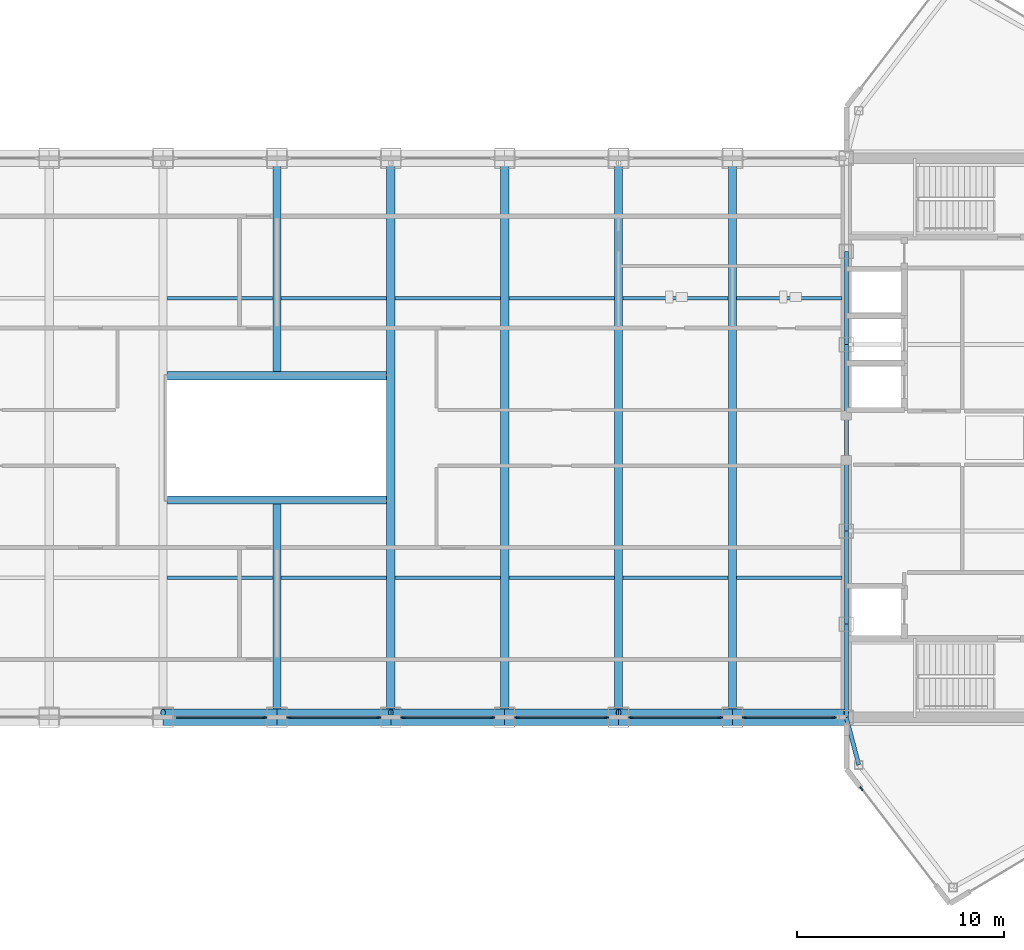
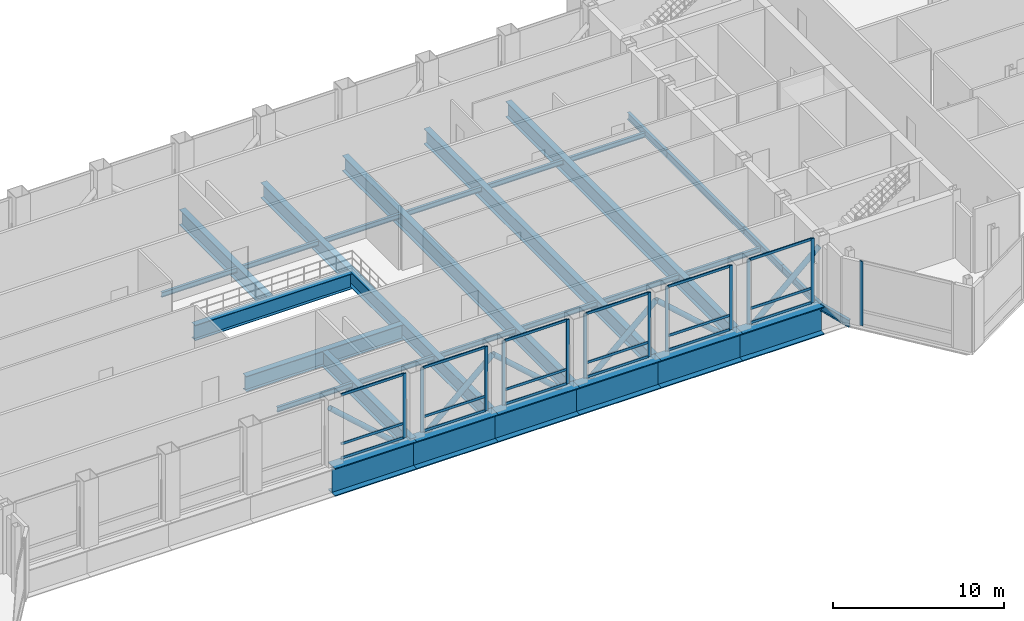
# One storey, part 13 of 30: 36 members, 31 beams, 7 elements without a shape of their own.
"""IFC4 building model written with IfcOpenShell, lengths in metres."""

from ifc_helpers import new_model, si_unit, direction, frame, origin, origin_2d, place, context, subcontext, project, spatial, rectangle, hollow_circle, i_section, extrude, source, transform, mapped, material, layer, layer_set, material_profile, profile_set, type_object, type_shapes, element, aggregate, save


model = new_model("IFC4")

# Units and contexts
model_context = context("Model", 3, precision=1e-05, world=origin(), true_north=direction((0.0, 1.0)))
body_context = subcontext(model_context, "Body", "Model", "MODEL_VIEW")
ifc_project = project(units=[si_unit("LENGTHUNIT", "METRE"), si_unit("AREAUNIT", "SQUARE_METRE"), si_unit("VOLUMEUNIT", "CUBIC_METRE"), si_unit("PLANEANGLEUNIT", "RADIAN"), si_unit("MASSUNIT", "GRAM", prefix="KILO")], contexts=[model_context])

# Site, building, storey
site_placement = place(None, origin())
site = spatial("IfcSite", under=ifc_project, at=site_placement, CompositionType="ELEMENT")
building_placement = place(site_placement, origin())
building = spatial("IfcBuilding", under=site, at=building_placement, Name="Seokmaru Belvedere", CompositionType="ELEMENT")
storey_placement = place(building_placement, frame((0.0, 0.0, 234.60009765625)))
storey = spatial("IfcBuildingStorey", under=building, at=storey_placement, Name="L62", CompositionType="ELEMENT", Elevation=234.60009765625)

# Beams
ifc_material_1 = material(Name="Steel SM355 (355 MPa)", Category="steel")
ifc_material_profile_1 = material_profile(ifc_material_1, i_section(OverallWidth=0.199951171875, OverallDepth=0.5, WebThickness=0.010009765625, FlangeThickness=0.01611328125, at=origin_2d()), Name="H-500x200x10x16")
ifc_profile_set_1 = profile_set([ifc_material_profile_1], Name="Steel SM355 (355 MPa)")
beam_type_1 = type_object("IfcBeamType", Name="Perimeter Spandrel Beam H-500", PredefinedType="SPANDREL", material=ifc_profile_set_1)
shared_shape_1 = source(origin(), body_context, "Body", "SweptSolid", [
    extrude(i_section(OverallWidth=0.199951171875, OverallDepth=0.5, WebThickness=0.010009765625, FlangeThickness=0.01611328125, at=origin_2d()), origin(), (0.0, 0.0, 1.0), 4.5),
])
for number, where, z_axis, x_axis, name in (
    (1, (27.5, -13.5, -0.510009765625), (0.0, 1.0, 0.0), (-1.0, 0.0, 0.0), "L62 E Portal Spine Spandrel 1"),
    (2, (27.5, -9.0, -0.510009765625), (0.0, 1.0, 0.0), (-1.0, 0.0, 0.0), "L62 E Portal Spine Spandrel 2"),
    (3, (27.5, 4.5, -0.510009765625), (0.0, 1.0, 0.0), (-1.0, 0.0, 0.0), "L62 E Portal Spine Spandrel 4"),
):
    element("IfcBeam", number, at=place(storey_placement, frame(where, z_axis=z_axis, x_axis=x_axis)), inside=storey, type_object=beam_type_1, Name=name, PredefinedType="SPANDREL", context=body_context, shape_type="MappedRepresentation", body=[
        mapped(shared_shape_1, transform((0.0, 0.0, 0.0), scale=1.0)),
    ])
shared_shape_2 = source(origin(), body_context, "Body", "SweptSolid", [
    extrude(i_section(OverallWidth=0.199951171875, OverallDepth=0.5, WebThickness=0.010009765625, FlangeThickness=0.01611328125, at=origin_2d()), origin(), (0.0, 0.0, 1.0), 9.0),
])
beam_1_placement = place(storey_placement, frame((27.5, -4.5, -0.510009765625), z_axis=(0.0, 1.0, 0.0), x_axis=(-1.0, 0.0, 0.0)))
element("IfcBeam", 4, at=beam_1_placement, inside=storey, type_object=beam_type_1, Name="L62 E Portal Spine Spandrel 3", PredefinedType="SPANDREL", context=body_context, shape_type="MappedRepresentation", body=[
    mapped(shared_shape_2, transform((0.0, 0.0, 0.0), scale=1.0)),
])
shared_shape_3 = source(origin(), body_context, "Body", "SweptSolid", [
    extrude(i_section(OverallWidth=0.199951171875, OverallDepth=0.5, WebThickness=0.010009765625, FlangeThickness=0.01611328125, at=origin_2d()), origin(), (0.0, 0.0, 1.0), 2.373046875),
])
type_shapes(beam_type_1, [shared_shape_1, shared_shape_2, shared_shape_3])
beam_2_placement = place(storey_placement, frame((28.10009765625, -15.7958984375, -0.510009765625), z_axis=(-0.252882558842, 0.967496982648, 0.0), x_axis=(-0.967496982648, -0.252882558842, 0.0)))
element("IfcBeam", 5, at=beam_2_placement, inside=storey, type_object=beam_type_1, Name="L62 E Shoulder Spine Spandrel S", PredefinedType="SPANDREL", context=body_context, shape_type="MappedRepresentation", body=[
    mapped(shared_shape_3, transform((0.0, 0.0, 0.0), scale=1.0)),
])
ifc_material_2 = material(Name="Steel HSA650 (650 MPa)", Category="steel")
ifc_material_profile_2 = material_profile(ifc_material_2, i_section(OverallWidth=0.800048828125, OverallDepth=2.0, WebThickness=0.0400390625, FlangeThickness=0.070068359375, at=origin_2d()), Name="BH-2000x800x40x70")
ifc_profile_set_2 = profile_set([ifc_material_profile_2], Name="Steel HSA650 (650 MPa)")
beam_type_2 = type_object("IfcBeamType", Name="Sky-Gate Transfer Truss Chord Girder BH-2000", PredefinedType="BEAM", material=ifc_profile_set_2)
shared_shape_4 = source(origin(), body_context, "Body", "SweptSolid", [
    extrude(i_section(OverallWidth=0.800048828125, OverallDepth=2.0, WebThickness=0.0400390625, FlangeThickness=0.070068359375, at=origin_2d()), origin(), (0.0, 0.0, 1.0), 5.5),
])
type_shapes(beam_type_2, [shared_shape_4])
for number, where, z_axis, x_axis, name in (
    (6, (-5.5, -13.5, -1.260009765625), (1.0, 0.0, 0.0), (0.0, 1.0, 0.0), "L62 Sky-Gate Transfer Truss Chord S-06"),
    (7, (0.0, -13.5, -1.260009765625), (1.0, 0.0, 0.0), (0.0, 1.0, 0.0), "L62 Sky-Gate Transfer Truss Chord S-07"),
    (8, (5.5, -13.5, -1.260009765625), (1.0, 0.0, 0.0), (0.0, 1.0, 0.0), "L62 Sky-Gate Transfer Truss Chord S-08"),
    (9, (11.0, -13.5, -1.260009765625), (1.0, 0.0, 0.0), (0.0, 1.0, 0.0), "L62 Sky-Gate Transfer Truss Chord S-09"),
    (10, (16.5, -13.5, -1.260009765625), (1.0, 0.0, 0.0), (0.0, 1.0, 0.0), "L62 Sky-Gate Transfer Truss Chord S-10"),
    (11, (22.0, -13.5, -1.260009765625), (1.0, 0.0, 0.0), (0.0, 1.0, 0.0), "L62 Sky-Gate Transfer Truss Chord S-11"),
):
    element("IfcBeam", number, at=place(storey_placement, frame(where, z_axis=z_axis, x_axis=x_axis)), inside=storey, type_object=beam_type_2, Name=name, PredefinedType="BEAM", context=body_context, shape_type="MappedRepresentation", body=[
        mapped(shared_shape_4, transform((0.0, 0.0, 0.0), scale=1.0)),
    ])
ifc_material_profile_3 = material_profile(ifc_material_1, i_section(OverallWidth=0.39990234375, OverallDepth=1.10009765625, WebThickness=0.02001953125, FlangeThickness=0.033935546875, at=origin_2d()), Name="BH-1100x400x20x34")
ifc_profile_set_3 = profile_set([ifc_material_profile_3], Name="Steel SM355 (355 MPa)")
beam_type_3 = type_object("IfcBeamType", Name="Sky-Gate Transverse Girder BH-1100", PredefinedType="BEAM", material=ifc_profile_set_3)
shared_shape_5 = source(origin(), body_context, "Body", "SweptSolid", [
    extrude(i_section(OverallWidth=0.39990234375, OverallDepth=1.10009765625, WebThickness=0.02001953125, FlangeThickness=0.033935546875, at=origin_2d()), origin(), (0.0, 0.0, 1.0), 27.0),
])
for number, where, z_axis, x_axis, name in (
    (12, (5.5, -13.5, -0.81005859375), (0.0, 1.0, 0.0), (-1.0, 0.0, 0.0), "L62 Sky-Gate Transverse Girder 06"),
    (13, (11.0, -13.5, -0.81005859375), (0.0, 1.0, 0.0), (-1.0, 0.0, 0.0), "L62 Sky-Gate Transverse Girder 07"),
    (14, (16.5, -13.5, -0.81005859375), (0.0, 1.0, 0.0), (-1.0, 0.0, 0.0), "L62 Sky-Gate Transverse Girder 08"),
    (15, (22.0, -13.5, -0.81005859375), (0.0, 1.0, 0.0), (-1.0, 0.0, 0.0), "L62 Sky-Gate Transverse Girder 09"),
):
    element("IfcBeam", number, at=place(storey_placement, frame(where, z_axis=z_axis, x_axis=x_axis)), inside=storey, type_object=beam_type_3, Name=name, PredefinedType="BEAM", context=body_context, shape_type="MappedRepresentation", body=[
        mapped(shared_shape_5, transform((0.0, 0.0, 0.0), scale=1.0)),
    ])
ifc_material_profile_4 = material_profile(ifc_material_1, i_section(OverallWidth=0.175048828125, OverallDepth=0.35009765625, WebThickness=0.007080078125, FlangeThickness=0.010986328125, at=origin_2d()), Name="H-350x175x7x11")
ifc_profile_set_4 = profile_set([ifc_material_profile_4], Name="Steel SM355 (355 MPa)")
beam_type_4 = type_object("IfcBeamType", Name="Secondary Floor Joist H-300", PredefinedType="JOIST", material=ifc_profile_set_4)
shared_shape_6 = source(origin(), body_context, "Body", "SweptSolid", [
    extrude(i_section(OverallWidth=0.175048828125, OverallDepth=0.35009765625, WebThickness=0.007080078125, FlangeThickness=0.010986328125, at=origin_2d()), origin(), (0.0, 0.0, 1.0), 5.08984375),
])
type_shapes(beam_type_4, [shared_shape_6])
for number, where, z_axis, x_axis, name in (
    (16, (-5.294921875, -6.75, -0.43505859375), (1.0, 0.0, 0.0), (0.0, 1.0, 0.0), "L62 Sky-Gate Secondary Joist S-05"),
    (17, (0.205078125, -6.75, -0.43505859375), (1.0, 0.0, 0.0), (0.0, 1.0, 0.0), "L62 Sky-Gate Secondary Joist S-06"),
    (18, (5.705078125, -6.75, -0.43505859375), (1.0, 0.0, 0.0), (0.0, 1.0, 0.0), "L62 Sky-Gate Secondary Joist S-07"),
    (19, (11.205078125, -6.75, -0.43505859375), (1.0, 0.0, 0.0), (0.0, 1.0, 0.0), "L62 Sky-Gate Secondary Joist S-08"),
    (20, (16.705078125, -6.75, -0.43505859375), (1.0, 0.0, 0.0), (0.0, 1.0, 0.0), "L62 Sky-Gate Secondary Joist S-09"),
    (21, (22.205078125, -6.75, -0.43505859375), (1.0, 0.0, 0.0), (0.0, 1.0, 0.0), "L62 Sky-Gate Secondary Joist S-10"),
    (22, (-5.294921875, 6.75, -0.43505859375), (1.0, 0.0, 0.0), (0.0, 1.0, 0.0), "L62 Sky-Gate Secondary Joist N-05"),
    (23, (0.205078125, 6.75, -0.43505859375), (1.0, 0.0, 0.0), (0.0, 1.0, 0.0), "L62 Sky-Gate Secondary Joist N-06"),
    (24, (5.705078125, 6.75, -0.43505859375), (1.0, 0.0, 0.0), (0.0, 1.0, 0.0), "L62 Sky-Gate Secondary Joist N-07"),
    (25, (11.205078125, 6.75, -0.43505859375), (1.0, 0.0, 0.0), (0.0, 1.0, 0.0), "L62 Sky-Gate Secondary Joist N-08"),
    (26, (16.705078125, 6.75, -0.43505859375), (1.0, 0.0, 0.0), (0.0, 1.0, 0.0), "L62 Sky-Gate Secondary Joist N-09"),
    (27, (22.205078125, 6.75, -0.43505859375), (1.0, 0.0, 0.0), (0.0, 1.0, 0.0), "L62 Sky-Gate Secondary Joist N-10"),
):
    element("IfcBeam", number, at=place(storey_placement, frame(where, z_axis=z_axis, x_axis=x_axis)), inside=storey, type_object=beam_type_4, Name=name, PredefinedType="JOIST", context=body_context, shape_type="MappedRepresentation", body=[
        mapped(shared_shape_6, transform((0.0, 0.0, 0.0), scale=1.0)),
    ])
shared_shape_7 = source(origin(), body_context, "Body", "SweptSolid", [
    extrude(i_section(OverallWidth=0.39990234375, OverallDepth=1.10009765625, WebThickness=0.02001953125, FlangeThickness=0.033935546875, at=origin_2d()), origin(), (0.0, 0.0, 1.0), 10.5),
])
for number, where, z_axis, x_axis, name in (
    (28, (0.0, -13.5, -0.81005859375), (0.0, 1.0, 0.0), (-1.0, 0.0, 0.0), "L62 Sky-Gate Trimmed Girder 5S"),
    (29, (0.0, 3.0, -0.81005859375), (0.0, 1.0, 0.0), (-1.0, 0.0, 0.0), "L62 Sky-Gate Trimmed Girder 5N"),
):
    element("IfcBeam", number, at=place(storey_placement, frame(where, z_axis=z_axis, x_axis=x_axis)), inside=storey, type_object=beam_type_3, Name=name, PredefinedType="BEAM", context=body_context, shape_type="MappedRepresentation", body=[
        mapped(shared_shape_7, transform((0.0, 0.0, 0.0), scale=1.0)),
    ])
shared_shape_8 = source(origin(), body_context, "Body", "SweptSolid", [
    extrude(i_section(OverallWidth=0.39990234375, OverallDepth=1.10009765625, WebThickness=0.02001953125, FlangeThickness=0.033935546875, at=origin_2d()), origin(), (0.0, 0.0, 1.0), 10.58984375),
])
type_shapes(beam_type_3, [shared_shape_5, shared_shape_7, shared_shape_8])
for number, where, z_axis, x_axis, name in (
    (30, (-5.294921875, -3.0, -0.81005859375), (1.0, 0.0, 0.0), (0.0, 1.0, 0.0), "L62 Sky-Gate Atrium Header Girder S"),
    (31, (-5.294921875, 3.0, -0.81005859375), (1.0, 0.0, 0.0), (0.0, 1.0, 0.0), "L62 Sky-Gate Atrium Header Girder N"),
):
    element("IfcBeam", number, at=place(storey_placement, frame(where, z_axis=z_axis, x_axis=x_axis)), inside=storey, type_object=beam_type_3, Name=name, PredefinedType="BEAM", context=body_context, shape_type="MappedRepresentation", body=[
        mapped(shared_shape_8, transform((0.0, 0.0, 0.0), scale=1.0)),
    ])

# Members
ifc_material_profile_5 = material_profile(ifc_material_2, hollow_circle(Radius=0.177734375, WallThickness=0.0126953125, at=origin_2d()), Name="CHS-355.6x12.7")
ifc_profile_set_5 = profile_set([ifc_material_profile_5], Name="Steel HSA650 (650 MPa)")
member_type_1 = type_object("IfcMemberType", Name="Sky-Gate Transfer Truss Secondary Brace CHS-356", PredefinedType="BRACE", material=ifc_profile_set_5)
shared_shape_9 = source(origin(), body_context, "Body", "SweptSolid", [
    extrude(hollow_circle(Radius=0.177734375, WallThickness=0.0126953125, at=origin_2d()), origin(), (0.0, 0.0, 1.0), 7.392822265625),
])
type_shapes(member_type_1, [shared_shape_9])
for number, where, z_axis, x_axis, name in (
    (32, (-5.5, -13.27099609375, 3.679931640625), (0.743970307126, 0.0, -0.668212677308), (0.0, 1.0, 0.0), "L62 Sky-Gate Transfer Truss Web Diagonal S-05"),
    (33, (0.0, -13.27099609375, -1.260009765625), (0.743970307126, 0.0, 0.668212677308), (0.0, 1.0, 0.0), "L62 Sky-Gate Transfer Truss Web Diagonal S-06"),
    (34, (5.5, -13.27099609375, 3.679931640625), (0.743970307126, 0.0, -0.668212677308), (0.0, 1.0, 0.0), "L62 Sky-Gate Transfer Truss Web Diagonal S-07"),
    (35, (11.0, -13.27099609375, -1.260009765625), (0.743970307126, 0.0, 0.668212677308), (0.0, 1.0, 0.0), "L62 Sky-Gate Transfer Truss Web Diagonal S-08"),
    (36, (16.5, -13.27099609375, 3.679931640625), (0.743970307126, 0.0, -0.668212677308), (0.0, 1.0, 0.0), "L62 Sky-Gate Transfer Truss Web Diagonal S-09"),
    (37, (22.0, -13.27099609375, -1.260009765625), (0.743970307126, 0.0, 0.668212677308), (0.0, 1.0, 0.0), "L62 Sky-Gate Transfer Truss Web Diagonal S-10"),
):
    element("IfcMember", number, at=place(storey_placement, frame(where, z_axis=z_axis, x_axis=x_axis)), inside=storey, type_object=member_type_1, Name=name, PredefinedType="BRACE", context=body_context, shape_type="MappedRepresentation", body=[
        mapped(shared_shape_9, transform((0.0, 0.0, 0.0), scale=1.0)),
    ])

# Curtain wall, members
ifc_material_3 = material(Name="Bronze Triple Insulating Glass", Category="glass")
ifc_layer = layer(ifc_material_3, 0.219970703125)
ifc_layer_set = layer_set([ifc_layer], Name="Bronze Triple Insulating Glass")
curtain_wall_type = type_object("IfcCurtainWallType", Name="Sky-Gate Bridge Panorama Curtain Wall System CW-6", PredefinedType="NOTDEFINED", material=ifc_layer_set)
curtain_wall_1_placement = place(storey_placement, origin())
curtain_wall_1 = element("IfcCurtainWall", 38, at=curtain_wall_1_placement, inside=storey, type_object=curtain_wall_type, Name="L62 Curtain Wall BR_S05", PredefinedType="NOTDEFINED")
ifc_material_4 = material(Name="Anodised Bronze Aluminium", Category="aluminium")
ifc_material_profile_6 = material_profile(ifc_material_4, rectangle(XDim=0.074951171875, YDim=0.179931640625, at=origin_2d()), Name="CW-T-75x180")
ifc_profile_set_6 = profile_set([ifc_material_profile_6], Name="Anodised Bronze Aluminium")
member_type_2 = type_object("IfcMemberType", Name="Bronze Unitised Transom 75x180", PredefinedType="USERDEFINED", material=ifc_profile_set_6)
shared_shape_10 = source(origin(), body_context, "Body", "SweptSolid", [
    extrude(rectangle(XDim=0.074951171875, YDim=0.179931640625, at=origin_2d()), origin(), (0.0, 0.0, 1.0), 4.240234375),
])
type_shapes(member_type_2, [shared_shape_10])
member_1_placement = place(storey_placement, frame((-4.8701171875, -13.5, 0.037353515625), z_axis=(1.0, 0.0, 0.0), x_axis=(0.0, 1.0, 0.0)))
member_1 = element("IfcMember", 39, at=member_1_placement, type_object=member_type_2, Name="CW:L62:BR_S05 Continuous Transom 1", ObjectType="TRANSOM", PredefinedType="USERDEFINED", context=body_context, shape_type="MappedRepresentation", body=[
    mapped(shared_shape_10, transform((0.0, 0.0, 0.0), scale=1.0)),
])
member_2_placement = place(storey_placement, frame((-4.8701171875, -13.5, 4.54248046875), z_axis=(1.0, 0.0, 0.0), x_axis=(0.0, 1.0, 0.0)))
member_2 = element("IfcMember", 40, at=member_2_placement, type_object=member_type_2, Name="CW:L62:BR_S05 Continuous Transom 2", ObjectType="TRANSOM", PredefinedType="USERDEFINED", context=body_context, shape_type="MappedRepresentation", body=[
    mapped(shared_shape_10, transform((0.0, 0.0, 0.0), scale=1.0)),
])
member_3_placement = place(storey_placement, frame((-4.8701171875, -13.5, 1.0498046875), z_axis=(1.0, 0.0, 0.0), x_axis=(0.0, 1.0, 0.0)))
member_3 = element("IfcMember", 41, at=member_3_placement, type_object=member_type_2, Name="CW:L62:BR_S05 Spandrel Transom 1", ObjectType="TRANSOM", PredefinedType="USERDEFINED", context=body_context, shape_type="MappedRepresentation", body=[
    mapped(shared_shape_10, transform((0.0, 0.0, 0.0), scale=1.0)),
])

curtain_wall_2_placement = place(storey_placement, origin())
curtain_wall_2 = element("IfcCurtainWall", 42, at=curtain_wall_2_placement, inside=storey, type_object=curtain_wall_type, Name="L62 Curtain Wall BR_S06", PredefinedType="NOTDEFINED")
member_4_placement = place(storey_placement, frame((0.6298828125, -13.5, 0.037353515625), z_axis=(1.0, 0.0, 0.0), x_axis=(0.0, 1.0, 0.0)))
member_4 = element("IfcMember", 43, at=member_4_placement, type_object=member_type_2, Name="CW:L62:BR_S06 Continuous Transom 1", ObjectType="TRANSOM", PredefinedType="USERDEFINED", context=body_context, shape_type="MappedRepresentation", body=[
    mapped(shared_shape_10, transform((0.0, 0.0, 0.0), scale=1.0)),
])
member_5_placement = place(storey_placement, frame((0.6298828125, -13.5, 4.54248046875), z_axis=(1.0, 0.0, 0.0), x_axis=(0.0, 1.0, 0.0)))
member_5 = element("IfcMember", 44, at=member_5_placement, type_object=member_type_2, Name="CW:L62:BR_S06 Continuous Transom 2", ObjectType="TRANSOM", PredefinedType="USERDEFINED", context=body_context, shape_type="MappedRepresentation", body=[
    mapped(shared_shape_10, transform((0.0, 0.0, 0.0), scale=1.0)),
])
member_6_placement = place(storey_placement, frame((0.6298828125, -13.5, 1.0498046875), z_axis=(1.0, 0.0, 0.0), x_axis=(0.0, 1.0, 0.0)))
member_6 = element("IfcMember", 45, at=member_6_placement, type_object=member_type_2, Name="CW:L62:BR_S06 Spandrel Transom 1", ObjectType="TRANSOM", PredefinedType="USERDEFINED", context=body_context, shape_type="MappedRepresentation", body=[
    mapped(shared_shape_10, transform((0.0, 0.0, 0.0), scale=1.0)),
])

curtain_wall_3_placement = place(storey_placement, origin())
curtain_wall_3 = element("IfcCurtainWall", 46, at=curtain_wall_3_placement, inside=storey, type_object=curtain_wall_type, Name="L62 Curtain Wall BR_S07", PredefinedType="NOTDEFINED")
member_7_placement = place(storey_placement, frame((6.1298828125, -13.5, 0.037353515625), z_axis=(1.0, 0.0, 0.0), x_axis=(0.0, 1.0, 0.0)))
member_7 = element("IfcMember", 47, at=member_7_placement, type_object=member_type_2, Name="CW:L62:BR_S07 Continuous Transom 1", ObjectType="TRANSOM", PredefinedType="USERDEFINED", context=body_context, shape_type="MappedRepresentation", body=[
    mapped(shared_shape_10, transform((0.0, 0.0, 0.0), scale=1.0)),
])
member_8_placement = place(storey_placement, frame((6.1298828125, -13.5, 4.54248046875), z_axis=(1.0, 0.0, 0.0), x_axis=(0.0, 1.0, 0.0)))
member_8 = element("IfcMember", 48, at=member_8_placement, type_object=member_type_2, Name="CW:L62:BR_S07 Continuous Transom 2", ObjectType="TRANSOM", PredefinedType="USERDEFINED", context=body_context, shape_type="MappedRepresentation", body=[
    mapped(shared_shape_10, transform((0.0, 0.0, 0.0), scale=1.0)),
])
member_9_placement = place(storey_placement, frame((6.1298828125, -13.5, 1.0498046875), z_axis=(1.0, 0.0, 0.0), x_axis=(0.0, 1.0, 0.0)))
member_9 = element("IfcMember", 49, at=member_9_placement, type_object=member_type_2, Name="CW:L62:BR_S07 Spandrel Transom 1", ObjectType="TRANSOM", PredefinedType="USERDEFINED", context=body_context, shape_type="MappedRepresentation", body=[
    mapped(shared_shape_10, transform((0.0, 0.0, 0.0), scale=1.0)),
])

curtain_wall_4_placement = place(storey_placement, origin())
curtain_wall_4 = element("IfcCurtainWall", 50, at=curtain_wall_4_placement, inside=storey, type_object=curtain_wall_type, Name="L62 Curtain Wall BR_S08", PredefinedType="NOTDEFINED")
member_10_placement = place(storey_placement, frame((11.6298828125, -13.5, 0.037353515625), z_axis=(1.0, 0.0, 0.0), x_axis=(0.0, 1.0, 0.0)))
member_10 = element("IfcMember", 51, at=member_10_placement, type_object=member_type_2, Name="CW:L62:BR_S08 Continuous Transom 1", ObjectType="TRANSOM", PredefinedType="USERDEFINED", context=body_context, shape_type="MappedRepresentation", body=[
    mapped(shared_shape_10, transform((0.0, 0.0, 0.0), scale=1.0)),
])
member_11_placement = place(storey_placement, frame((11.6298828125, -13.5, 4.54248046875), z_axis=(1.0, 0.0, 0.0), x_axis=(0.0, 1.0, 0.0)))
member_11 = element("IfcMember", 52, at=member_11_placement, type_object=member_type_2, Name="CW:L62:BR_S08 Continuous Transom 2", ObjectType="TRANSOM", PredefinedType="USERDEFINED", context=body_context, shape_type="MappedRepresentation", body=[
    mapped(shared_shape_10, transform((0.0, 0.0, 0.0), scale=1.0)),
])
member_12_placement = place(storey_placement, frame((11.6298828125, -13.5, 1.0498046875), z_axis=(1.0, 0.0, 0.0), x_axis=(0.0, 1.0, 0.0)))
member_12 = element("IfcMember", 53, at=member_12_placement, type_object=member_type_2, Name="CW:L62:BR_S08 Spandrel Transom 1", ObjectType="TRANSOM", PredefinedType="USERDEFINED", context=body_context, shape_type="MappedRepresentation", body=[
    mapped(shared_shape_10, transform((0.0, 0.0, 0.0), scale=1.0)),
])

curtain_wall_5_placement = place(storey_placement, origin())
curtain_wall_5 = element("IfcCurtainWall", 54, at=curtain_wall_5_placement, inside=storey, type_object=curtain_wall_type, Name="L62 Curtain Wall BR_S09", PredefinedType="NOTDEFINED")
member_13_placement = place(storey_placement, frame((17.1298828125, -13.5, 0.037353515625), z_axis=(1.0, 0.0, 0.0), x_axis=(0.0, 1.0, 0.0)))
member_13 = element("IfcMember", 55, at=member_13_placement, type_object=member_type_2, Name="CW:L62:BR_S09 Continuous Transom 1", ObjectType="TRANSOM", PredefinedType="USERDEFINED", context=body_context, shape_type="MappedRepresentation", body=[
    mapped(shared_shape_10, transform((0.0, 0.0, 0.0), scale=1.0)),
])
member_14_placement = place(storey_placement, frame((17.1298828125, -13.5, 4.54248046875), z_axis=(1.0, 0.0, 0.0), x_axis=(0.0, 1.0, 0.0)))
member_14 = element("IfcMember", 56, at=member_14_placement, type_object=member_type_2, Name="CW:L62:BR_S09 Continuous Transom 2", ObjectType="TRANSOM", PredefinedType="USERDEFINED", context=body_context, shape_type="MappedRepresentation", body=[
    mapped(shared_shape_10, transform((0.0, 0.0, 0.0), scale=1.0)),
])
member_15_placement = place(storey_placement, frame((17.1298828125, -13.5, 1.0498046875), z_axis=(1.0, 0.0, 0.0), x_axis=(0.0, 1.0, 0.0)))
member_15 = element("IfcMember", 57, at=member_15_placement, type_object=member_type_2, Name="CW:L62:BR_S09 Spandrel Transom 1", ObjectType="TRANSOM", PredefinedType="USERDEFINED", context=body_context, shape_type="MappedRepresentation", body=[
    mapped(shared_shape_10, transform((0.0, 0.0, 0.0), scale=1.0)),
])

curtain_wall_6_placement = place(storey_placement, origin())
curtain_wall_6 = element("IfcCurtainWall", 58, at=curtain_wall_6_placement, inside=storey, type_object=curtain_wall_type, Name="L62 Curtain Wall BR_S10", PredefinedType="NOTDEFINED")
member_16_placement = place(storey_placement, frame((22.6298828125, -13.5, 0.037353515625), z_axis=(1.0, 0.0, 0.0), x_axis=(0.0, 1.0, 0.0)))
member_16 = element("IfcMember", 59, at=member_16_placement, type_object=member_type_2, Name="CW:L62:BR_S10 Continuous Transom 1", ObjectType="TRANSOM", PredefinedType="USERDEFINED", context=body_context, shape_type="MappedRepresentation", body=[
    mapped(shared_shape_10, transform((0.0, 0.0, 0.0), scale=1.0)),
])
member_17_placement = place(storey_placement, frame((22.6298828125, -13.5, 4.54248046875), z_axis=(1.0, 0.0, 0.0), x_axis=(0.0, 1.0, 0.0)))
member_17 = element("IfcMember", 60, at=member_17_placement, type_object=member_type_2, Name="CW:L62:BR_S10 Continuous Transom 2", ObjectType="TRANSOM", PredefinedType="USERDEFINED", context=body_context, shape_type="MappedRepresentation", body=[
    mapped(shared_shape_10, transform((0.0, 0.0, 0.0), scale=1.0)),
])
member_18_placement = place(storey_placement, frame((22.6298828125, -13.5, 1.0498046875), z_axis=(1.0, 0.0, 0.0), x_axis=(0.0, 1.0, 0.0)))
member_18 = element("IfcMember", 61, at=member_18_placement, type_object=member_type_2, Name="CW:L62:BR_S10 Spandrel Transom 1", ObjectType="TRANSOM", PredefinedType="USERDEFINED", context=body_context, shape_type="MappedRepresentation", body=[
    mapped(shared_shape_10, transform((0.0, 0.0, 0.0), scale=1.0)),
])

# Curtain wall, member
curtain_wall_7_placement = place(storey_placement, origin())
curtain_wall_7 = element("IfcCurtainWall", 62, at=curtain_wall_7_placement, inside=storey, type_object=curtain_wall_type, Name="L62 Curtain Wall EF6", PredefinedType="NOTDEFINED")
ifc_material_profile_7 = material_profile(ifc_material_4, rectangle(XDim=0.080078125, YDim=0.219970703125, at=origin_2d()), Name="CW-M-80x220")
ifc_profile_set_7 = profile_set([ifc_material_profile_7], Name="Anodised Bronze Aluminium")
member_type_3 = type_object("IfcMemberType", Name="Bronze Unitised Mullion 80x220", PredefinedType="MULLION", material=ifc_profile_set_7)
shared_shape_11 = source(origin(), body_context, "Body", "SweptSolid", [
    extrude(rectangle(XDim=0.080078125, YDim=0.219970703125, at=origin_2d()), origin(), (0.0, 0.0, 1.0), 4.579833984375),
])
type_shapes(member_type_3, [shared_shape_11])
member_19_placement = place(storey_placement, frame((28.2255859375, -16.943115234375, 0.0), z_axis=(0.0, 0.0, 1.0), x_axis=(0.792631353244, 0.609701187349, 0.0)))
member_19 = element("IfcMember", 63, at=member_19_placement, type_object=member_type_3, Name="CW:L62:EF6 Mullion 1", PredefinedType="MULLION", context=body_context, shape_type="MappedRepresentation", body=[
    mapped(shared_shape_11, transform((0.0, 0.0, 0.0), scale=1.0)),
])
aggregate(curtain_wall_7, [member_19])

# Member
member_20_placement = place(storey_placement, frame((-0.590087890625, -13.5, 0.0), z_axis=(0.0, 0.0, 1.0), x_axis=(0.0, 1.0, 0.0)))
member_20 = element("IfcMember", 64, at=member_20_placement, type_object=member_type_3, Name="CW:L62:BR_S05 Mullion 2", PredefinedType="MULLION", context=body_context, shape_type="MappedRepresentation", body=[
    mapped(shared_shape_11, transform((0.0, 0.0, 0.0), scale=1.0)),
])

aggregate(curtain_wall_1, [member_20, member_1, member_2, member_3])

member_21_placement = place(storey_placement, frame((0.590087890625, -13.5, 0.0), z_axis=(0.0, 0.0, 1.0), x_axis=(0.0, 1.0, 0.0)))
member_21 = element("IfcMember", 65, at=member_21_placement, type_object=member_type_3, Name="CW:L62:BR_S06 Mullion 1", PredefinedType="MULLION", context=body_context, shape_type="MappedRepresentation", body=[
    mapped(shared_shape_11, transform((0.0, 0.0, 0.0), scale=1.0)),
])

member_22_placement = place(storey_placement, frame((4.909912109375, -13.5, 0.0), z_axis=(0.0, 0.0, 1.0), x_axis=(0.0, 1.0, 0.0)))
member_22 = element("IfcMember", 66, at=member_22_placement, type_object=member_type_3, Name="CW:L62:BR_S06 Mullion 2", PredefinedType="MULLION", context=body_context, shape_type="MappedRepresentation", body=[
    mapped(shared_shape_11, transform((0.0, 0.0, 0.0), scale=1.0)),
])

aggregate(curtain_wall_2, [member_21, member_22, member_4, member_5, member_6])

member_23_placement = place(storey_placement, frame((6.090087890625, -13.5, 0.0), z_axis=(0.0, 0.0, 1.0), x_axis=(0.0, 1.0, 0.0)))
member_23 = element("IfcMember", 67, at=member_23_placement, type_object=member_type_3, Name="CW:L62:BR_S07 Mullion 1", PredefinedType="MULLION", context=body_context, shape_type="MappedRepresentation", body=[
    mapped(shared_shape_11, transform((0.0, 0.0, 0.0), scale=1.0)),
])

member_24_placement = place(storey_placement, frame((10.409912109375, -13.5, 0.0), z_axis=(0.0, 0.0, 1.0), x_axis=(0.0, 1.0, 0.0)))
member_24 = element("IfcMember", 68, at=member_24_placement, type_object=member_type_3, Name="CW:L62:BR_S07 Mullion 2", PredefinedType="MULLION", context=body_context, shape_type="MappedRepresentation", body=[
    mapped(shared_shape_11, transform((0.0, 0.0, 0.0), scale=1.0)),
])

aggregate(curtain_wall_3, [member_23, member_24, member_7, member_8, member_9])

member_25_placement = place(storey_placement, frame((11.590087890625, -13.5, 0.0), z_axis=(0.0, 0.0, 1.0), x_axis=(0.0, 1.0, 0.0)))
member_25 = element("IfcMember", 69, at=member_25_placement, type_object=member_type_3, Name="CW:L62:BR_S08 Mullion 1", PredefinedType="MULLION", context=body_context, shape_type="MappedRepresentation", body=[
    mapped(shared_shape_11, transform((0.0, 0.0, 0.0), scale=1.0)),
])

member_26_placement = place(storey_placement, frame((15.909912109375, -13.5, 0.0), z_axis=(0.0, 0.0, 1.0), x_axis=(0.0, 1.0, 0.0)))
member_26 = element("IfcMember", 70, at=member_26_placement, type_object=member_type_3, Name="CW:L62:BR_S08 Mullion 2", PredefinedType="MULLION", context=body_context, shape_type="MappedRepresentation", body=[
    mapped(shared_shape_11, transform((0.0, 0.0, 0.0), scale=1.0)),
])

aggregate(curtain_wall_4, [member_25, member_26, member_10, member_11, member_12])

member_27_placement = place(storey_placement, frame((17.090087890625, -13.5, 0.0), z_axis=(0.0, 0.0, 1.0), x_axis=(0.0, 1.0, 0.0)))
member_27 = element("IfcMember", 71, at=member_27_placement, type_object=member_type_3, Name="CW:L62:BR_S09 Mullion 1", PredefinedType="MULLION", context=body_context, shape_type="MappedRepresentation", body=[
    mapped(shared_shape_11, transform((0.0, 0.0, 0.0), scale=1.0)),
])

member_28_placement = place(storey_placement, frame((21.409912109375, -13.5, 0.0), z_axis=(0.0, 0.0, 1.0), x_axis=(0.0, 1.0, 0.0)))
member_28 = element("IfcMember", 72, at=member_28_placement, type_object=member_type_3, Name="CW:L62:BR_S09 Mullion 2", PredefinedType="MULLION", context=body_context, shape_type="MappedRepresentation", body=[
    mapped(shared_shape_11, transform((0.0, 0.0, 0.0), scale=1.0)),
])

aggregate(curtain_wall_5, [member_27, member_28, member_13, member_14, member_15])

member_29_placement = place(storey_placement, frame((22.590087890625, -13.5, 0.0), z_axis=(0.0, 0.0, 1.0), x_axis=(0.0, 1.0, 0.0)))
member_29 = element("IfcMember", 73, at=member_29_placement, type_object=member_type_3, Name="CW:L62:BR_S10 Mullion 1", PredefinedType="MULLION", context=body_context, shape_type="MappedRepresentation", body=[
    mapped(shared_shape_11, transform((0.0, 0.0, 0.0), scale=1.0)),
])

member_30_placement = place(storey_placement, frame((26.909912109375, -13.5, 0.0), z_axis=(0.0, 0.0, 1.0), x_axis=(0.0, 1.0, 0.0)))
member_30 = element("IfcMember", 74, at=member_30_placement, type_object=member_type_3, Name="CW:L62:BR_S10 Mullion 2", PredefinedType="MULLION", context=body_context, shape_type="MappedRepresentation", body=[
    mapped(shared_shape_11, transform((0.0, 0.0, 0.0), scale=1.0)),
])

aggregate(curtain_wall_6, [member_29, member_30, member_16, member_17, member_18])

save(model, "model.ifc")
